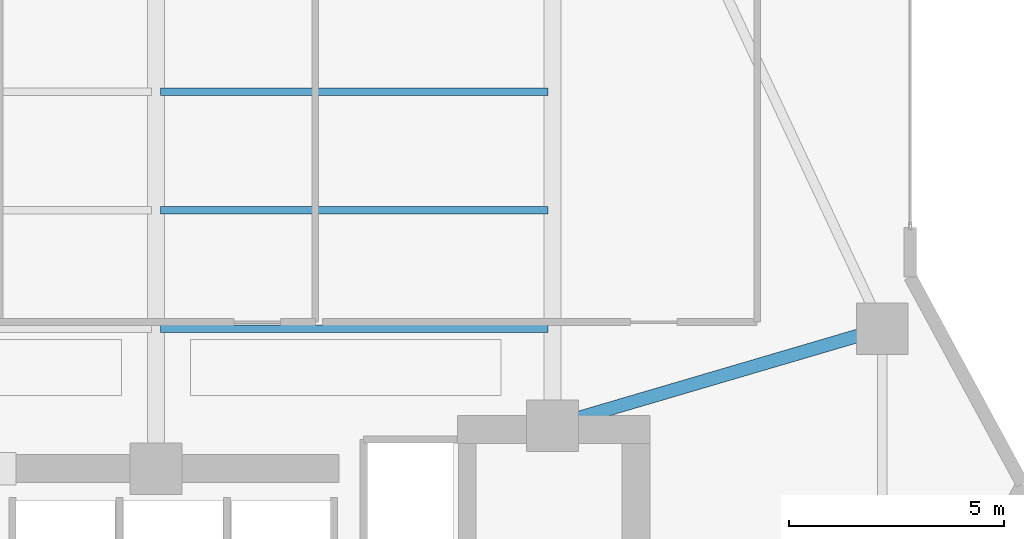
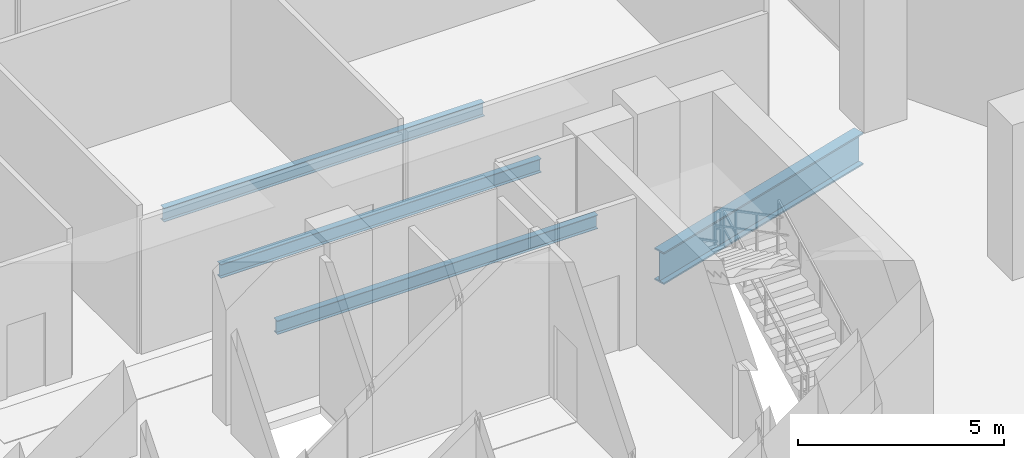
# One storey, part 13 of 31: 4 beams.
"""IFC4 building model written with IfcOpenShell, lengths in metres."""

from ifc_helpers import new_model, si_unit, direction, frame, origin, origin_2d, place, context, subcontext, project, spatial, i_section, extrude, material, material_profile, profile_set, type_object, element, save


model = new_model("IFC4")

# Units and contexts
model_context = context("Model", 3, precision=1e-05, world=origin(), true_north=direction((0.0, 1.0)))
body_context = subcontext(model_context, "Body", "Model", "MODEL_VIEW")
ifc_project = project(units=[si_unit("LENGTHUNIT", "METRE"), si_unit("AREAUNIT", "SQUARE_METRE"), si_unit("VOLUMEUNIT", "CUBIC_METRE"), si_unit("PLANEANGLEUNIT", "RADIAN"), si_unit("MASSUNIT", "GRAM", prefix="KILO")], contexts=[model_context])

# Site, building, storey
site_placement = place(None, origin())
site = spatial("IfcSite", under=ifc_project, at=site_placement, CompositionType="ELEMENT")
building_placement = place(site_placement, origin())
building = spatial("IfcBuilding", under=site, at=building_placement, Name="Zuhayl Quay Hotel", CompositionType="ELEMENT")
storey_placement = place(building_placement, frame((0.0, 0.0, 172.800048828125)))
storey = spatial("IfcBuildingStorey", under=building, at=storey_placement, Name="L43", CompositionType="ELEMENT", Elevation=172.800048828125)

# Beams
ifc_material = material(Name="Steel ASTM A992 Grade 50", Category="steel")
ifc_material_profile_1 = material_profile(ifc_material, i_section(OverallWidth=0.177978515625, OverallDepth=0.406005859375, WebThickness=0.0078125, FlangeThickness=0.0126953125, at=origin_2d()), Name="W16X40")
ifc_profile_set_1 = profile_set([ifc_material_profile_1], Name="Steel ASTM A992 Grade 50")
beam_type_1 = type_object("IfcBeamType", Name="BM_J2B_W16X40", PredefinedType="JOIST", material=ifc_profile_set_1)
for number, where, z_axis, x_axis, name in (
    (1, (4.7060546875, 16.60009765625, -0.423095703125), (1.0, 0.0, 0.0), (0.0, 1.0, 0.0), "L43 Floor Beam FJ_L43_1_3"),
    (2, (4.7060546875, 19.35009765625, -0.423095703125), (1.0, 0.0, 0.0), (0.0, 1.0, 0.0), "L43 Floor Beam FJ_L43_2_3"),
    (3, (4.7060546875, 22.10009765625, -0.423095703125), (1.0, 0.0, 0.0), (0.0, 1.0, 0.0), "L43 Floor Beam FJ_L43_3_3"),
):
    element("IfcBeam", number, at=place(storey_placement, frame(where, z_axis=z_axis, x_axis=x_axis)), inside=storey, type_object=beam_type_1, Name=name, PredefinedType="JOIST", context=body_context, shape_type="SweptSolid", body=[
        extrude(i_section(OverallWidth=0.177978515625, OverallDepth=0.406005859375, WebThickness=0.0078125, FlangeThickness=0.0126953125, at=origin_2d()), origin(), (0.0, 0.0, 1.0), 8.988037109375),
    ])
ifc_material_profile_2 = material_profile(ifc_material, i_section(OverallWidth=0.31005859375, OverallDepth=0.949951171875, WebThickness=0.0244140625, FlangeThickness=0.0439453125, at=origin_2d()), Name="W36X256")
ifc_profile_set_2 = profile_set([ifc_material_profile_2], Name="Steel ASTM A992 Grade 50")
beam_type_2 = type_object("IfcBeamType", Name="BM_PG1_W36X256", PredefinedType="BEAM", material=ifc_profile_set_2)
beam_placement = place(storey_placement, frame((14.231689453125, 14.47705078125, -0.695068359375), z_axis=(0.959364948093, 0.282168205812, 0.0), x_axis=(-0.282168205812, 0.959364948093, 0.0)))
element("IfcBeam", 4, at=beam_placement, inside=storey, type_object=beam_type_2, Name="L43 Floor Beam FG_E_L43_2", PredefinedType="BEAM", context=body_context, shape_type="SweptSolid", body=[
    extrude(i_section(OverallWidth=0.31005859375, OverallDepth=0.949951171875, WebThickness=0.0244140625, FlangeThickness=0.0439453125, at=origin_2d()), origin(), (0.0, 0.0, 1.0), 7.02392578125),
])

save(model, "model.ifc")
